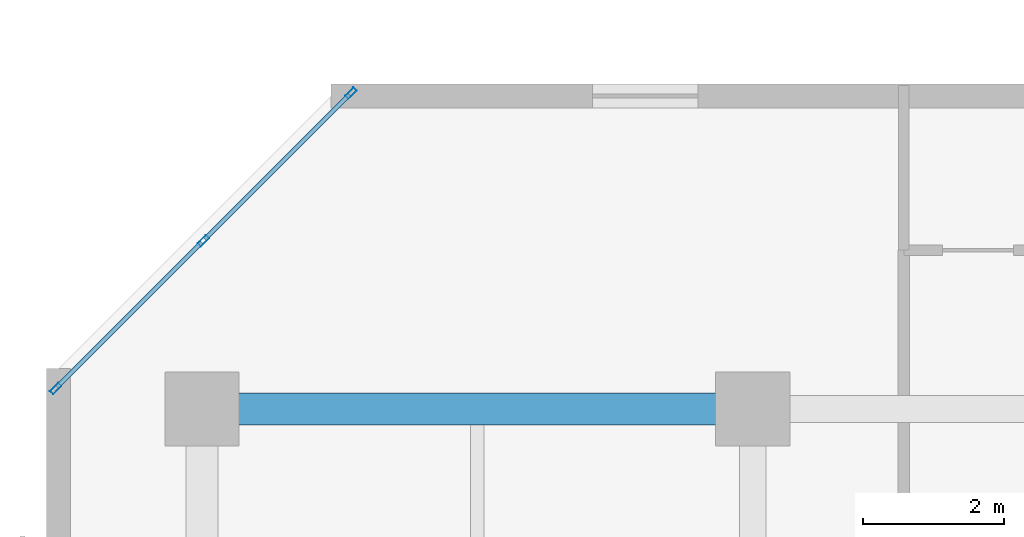
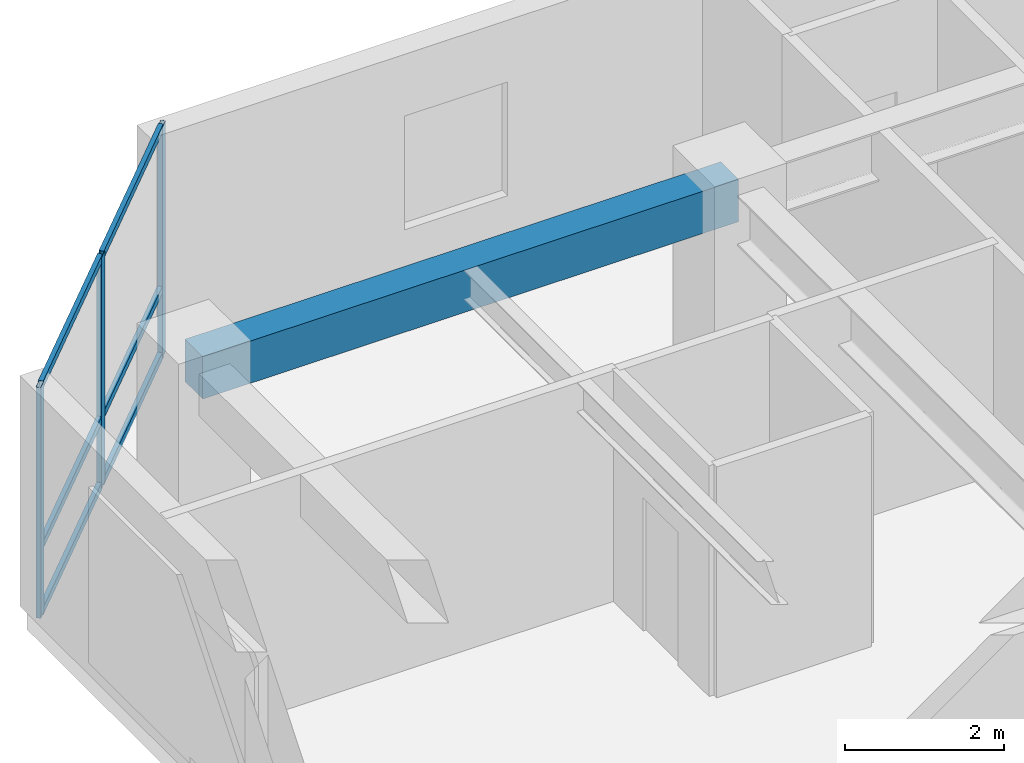
# One storey, part 2 of 11: 9 members, 1 beam, 1 element without a shape of its own.
"""IFC4 building model written with IfcOpenShell, lengths in metres."""

from ifc_helpers import new_model, si_unit, direction, frame, origin, origin_2d, place, context, subcontext, project, spatial, rectangle, hollow_rectangle, extrude, material, layer, layer_set, material_profile, profile_set, type_object, element, aggregate, save


model = new_model("IFC4")

# Units and contexts
model_context = context("Model", 3, precision=1e-05, world=origin(), true_north=direction((0.0, 1.0)))
body_context = subcontext(model_context, "Body", "Model", "MODEL_VIEW")
ifc_project = project(units=[si_unit("LENGTHUNIT", "METRE"), si_unit("AREAUNIT", "SQUARE_METRE"), si_unit("VOLUMEUNIT", "CUBIC_METRE"), si_unit("PLANEANGLEUNIT", "RADIAN"), si_unit("MASSUNIT", "GRAM", prefix="KILO")], contexts=[model_context])

# Site, building, storey
site_placement = place(None, origin())
site = spatial("IfcSite", under=ifc_project, at=site_placement, CompositionType="ELEMENT")
building_placement = place(site_placement, origin())
building = spatial("IfcBuilding", under=site, at=building_placement, Name="Kestravale Grand Hotel", CompositionType="ELEMENT")
storey_placement = place(building_placement, frame((0.0, 0.0, 172.60009765625)))
storey = spatial("IfcBuildingStorey", under=building, at=storey_placement, Name="L43", CompositionType="ELEMENT", Elevation=172.60009765625)

# Beam
ifc_material_1 = material(Name="Concrete f'c 45 MPa", Category="concrete")
ifc_material_profile_1 = material_profile(ifc_material_1, rectangle(XDim=0.449951171875, YDim=0.64990234375, at=origin_2d()))
ifc_profile_set_1 = profile_set([ifc_material_profile_1], Name="Concrete f'c 45 MPa")
beam_type = type_object("IfcBeamType", Name="B-FLR-RC650", PredefinedType="SPANDREL", material=ifc_profile_set_1)
beam_placement = place(storey_placement, frame((7.800048828125, 38.39990234375, 3.224853515625), z_axis=(1.0, 0.0, 0.0), x_axis=(0.0, 1.0, 0.0)))
element("IfcBeam", 1, at=beam_placement, inside=storey, type_object=beam_type, Name="L43 spandrel F:2-3", PredefinedType="SPANDREL", context=body_context, shape_type="SweptSolid", body=[
    extrude(rectangle(XDim=0.449951171875, YDim=0.64990234375, at=origin_2d()), origin(), (0.0, 0.0, 1.0), 7.800048828125),
])

# Curtain wall, members
ifc_material_2 = material(Name="Thermally broken champagne-bronze aluminium and low-E glazing", Category="aluminium")
ifc_layer = layer(ifc_material_2, 0.179931640625)
ifc_layer_set = layer_set([ifc_layer], Name="CW-Z3")
curtain_wall_type = type_object("IfcCurtainWallType", Name="CW-Z3", PredefinedType="NOTDEFINED", material=ifc_layer_set)
curtain_wall_placement = place(storey_placement, origin())
curtain_wall = element("IfcCurtainWall", 2, at=curtain_wall_placement, inside=storey, type_object=curtain_wall_type, Name="L43 unitised curtain wall 18", PredefinedType="NOTDEFINED")
ifc_material_3 = material(Name="Aluminium 6063-T6 anodised", Category="aluminium")
ifc_material_profile_2 = material_profile(ifc_material_3, hollow_rectangle(XDim=0.06494140625, YDim=0.1650390625, WallThickness=0.00341796875, at=origin_2d()))
ifc_profile_set_2 = profile_set([ifc_material_profile_2], Name="Aluminium 6063-T6 anodised")
member_type_1 = type_object("IfcMemberType", Name="CW-MUL-165", PredefinedType="MULLION", material=ifc_profile_set_2)
member_1_placement = place(storey_placement, frame((9.911376953125, 42.87109375, 0.0), z_axis=(0.0, 0.0, 1.0), x_axis=(0.707106781187, -0.707106781187, 0.0)))
member_1 = element("IfcMember", 3, at=member_1_placement, type_object=member_type_1, Name="CW-Z3 mullion 1", PredefinedType="MULLION", context=body_context, shape_type="SweptSolid", body=[
    extrude(hollow_rectangle(XDim=0.06494140625, YDim=0.1650390625, WallThickness=0.00341796875, at=origin_2d()), origin(), (0.0, 0.0, 1.0), 3.5498046875),
])
member_2_placement = place(storey_placement, frame((7.8203125, 40.77978515625, 0.0), z_axis=(0.0, 0.0, 1.0), x_axis=(0.707106781187, -0.707106781187, 0.0)))
member_2 = element("IfcMember", 4, at=member_2_placement, type_object=member_type_1, Name="CW-Z3 mullion 2", PredefinedType="MULLION", context=body_context, shape_type="SweptSolid", body=[
    extrude(hollow_rectangle(XDim=0.06494140625, YDim=0.1650390625, WallThickness=0.00341796875, at=origin_2d()), origin(), (0.0, 0.0, 1.0), 3.5498046875),
])
member_3_placement = place(storey_placement, frame((5.72900390625, 38.6884765625, 0.0), z_axis=(0.0, 0.0, 1.0), x_axis=(0.707106781187, -0.707106781187, 0.0)))
member_3 = element("IfcMember", 5, at=member_3_placement, type_object=member_type_1, Name="CW-Z3 mullion 3", PredefinedType="MULLION", context=body_context, shape_type="SweptSolid", body=[
    extrude(hollow_rectangle(XDim=0.06494140625, YDim=0.1650390625, WallThickness=0.00341796875, at=origin_2d()), origin(), (0.0, 0.0, 1.0), 3.5498046875),
])
ifc_material_4 = material(Name="Aluminium 6063-T6 anodised", Category="aluminium")
ifc_material_profile_3 = material_profile(ifc_material_4, hollow_rectangle(XDim=0.06494140625, YDim=0.114990234375, WallThickness=0.003173828125, at=origin_2d()))
ifc_profile_set_3 = profile_set([ifc_material_profile_3], Name="Aluminium 6063-T6 anodised")
member_type_2 = type_object("IfcMemberType", Name="CW-TRN-115", PredefinedType="USERDEFINED", material=ifc_profile_set_3)
member_4_placement = place(storey_placement, frame((9.888427734375, 42.84814453125, 0.032470703125), z_axis=(-0.707064577195, -0.707148982659, 0.0), x_axis=(0.707148982659, -0.707064577195, 0.0)))
member_4 = element("IfcMember", 6, at=member_4_placement, type_object=member_type_2, Name="CW-Z3 transom 1.1", ObjectType="TRANSOM", PredefinedType="USERDEFINED", context=body_context, shape_type="SweptSolid", body=[
    extrude(hollow_rectangle(XDim=0.06494140625, YDim=0.114990234375, WallThickness=0.003173828125, at=origin_2d()), origin(), (0.0, 0.0, 1.0), 2.892578125),
])
member_5_placement = place(storey_placement, frame((9.888427734375, 42.84814453125, 1.0498046875), z_axis=(-0.707064577195, -0.707148982659, 0.0), x_axis=(0.707148982659, -0.707064577195, 0.0)))
member_5 = element("IfcMember", 7, at=member_5_placement, type_object=member_type_2, Name="CW-Z3 transom 1.2", ObjectType="TRANSOM", PredefinedType="USERDEFINED", context=body_context, shape_type="SweptSolid", body=[
    extrude(hollow_rectangle(XDim=0.06494140625, YDim=0.114990234375, WallThickness=0.003173828125, at=origin_2d()), origin(), (0.0, 0.0, 1.0), 2.892578125),
])
member_6_placement = place(storey_placement, frame((9.888427734375, 42.84814453125, 3.517333984375), z_axis=(-0.707064577195, -0.707148982659, 0.0), x_axis=(0.707148982659, -0.707064577195, 0.0)))
member_6 = element("IfcMember", 8, at=member_6_placement, type_object=member_type_2, Name="CW-Z3 transom 1.3", ObjectType="TRANSOM", PredefinedType="USERDEFINED", context=body_context, shape_type="SweptSolid", body=[
    extrude(hollow_rectangle(XDim=0.06494140625, YDim=0.114990234375, WallThickness=0.003173828125, at=origin_2d()), origin(), (0.0, 0.0, 1.0), 2.892578125),
])
member_7_placement = place(storey_placement, frame((7.797119140625, 40.7568359375, 0.032470703125), z_axis=(-0.707106781187, -0.707106781187, 0.0), x_axis=(0.707106781187, -0.707106781187, 0.0)))
member_7 = element("IfcMember", 9, at=member_7_placement, type_object=member_type_2, Name="CW-Z3 transom 2.1", ObjectType="TRANSOM", PredefinedType="USERDEFINED", context=body_context, shape_type="SweptSolid", body=[
    extrude(hollow_rectangle(XDim=0.06494140625, YDim=0.114990234375, WallThickness=0.003173828125, at=origin_2d()), origin(), (0.0, 0.0, 1.0), 2.892333984375),
])
member_8_placement = place(storey_placement, frame((7.797119140625, 40.7568359375, 1.0498046875), z_axis=(-0.707106781187, -0.707106781187, 0.0), x_axis=(0.707106781187, -0.707106781187, 0.0)))
member_8 = element("IfcMember", 10, at=member_8_placement, type_object=member_type_2, Name="CW-Z3 transom 2.2", ObjectType="TRANSOM", PredefinedType="USERDEFINED", context=body_context, shape_type="SweptSolid", body=[
    extrude(hollow_rectangle(XDim=0.06494140625, YDim=0.114990234375, WallThickness=0.003173828125, at=origin_2d()), origin(), (0.0, 0.0, 1.0), 2.892333984375),
])
member_9_placement = place(storey_placement, frame((7.797119140625, 40.7568359375, 3.517333984375), z_axis=(-0.707106781187, -0.707106781187, 0.0), x_axis=(0.707106781187, -0.707106781187, 0.0)))
member_9 = element("IfcMember", 11, at=member_9_placement, type_object=member_type_2, Name="CW-Z3 transom 2.3", ObjectType="TRANSOM", PredefinedType="USERDEFINED", context=body_context, shape_type="SweptSolid", body=[
    extrude(hollow_rectangle(XDim=0.06494140625, YDim=0.114990234375, WallThickness=0.003173828125, at=origin_2d()), origin(), (0.0, 0.0, 1.0), 2.892333984375),
])
aggregate(curtain_wall, [member_1, member_2, member_3, member_4, member_5, member_6, member_7, member_8, member_9])

save(model, "model.ifc")
